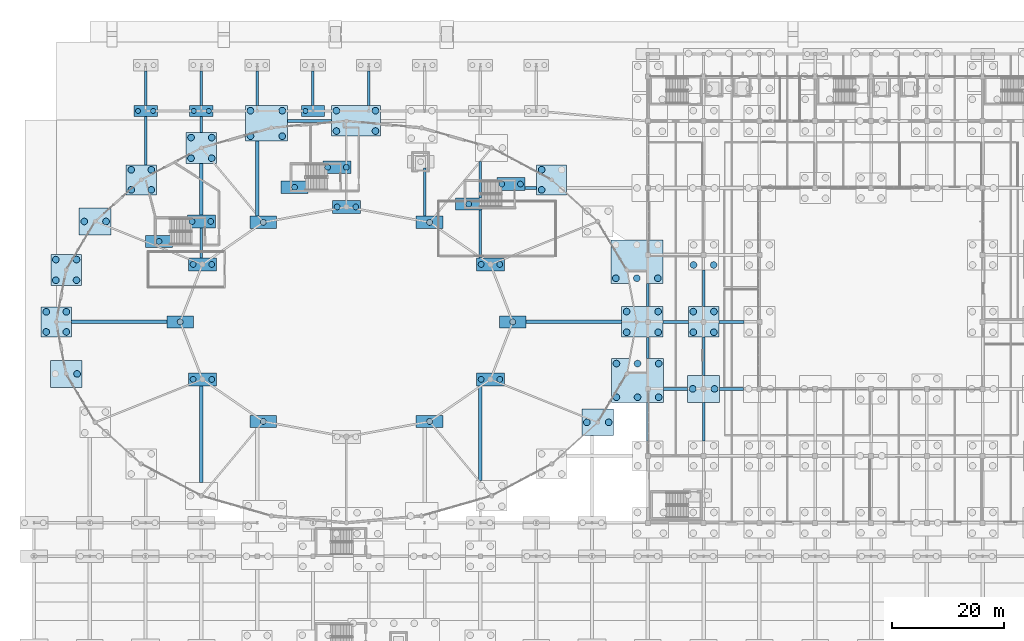
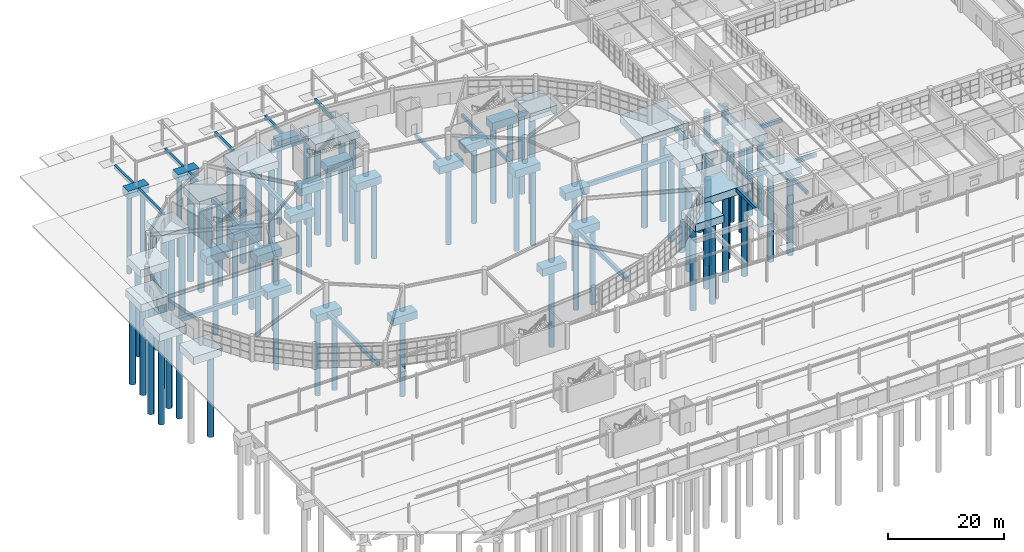
# One storey, part 4 of 99: 82 piles, 64 footings.
"""IFC4 building model written with IfcOpenShell, lengths in metres."""

from ifc_helpers import new_model, si_unit, direction, frame, origin, origin_2d, place, context, subcontext, project, spatial, rectangle, circle, extrude, material, material_profile, profile_set, type_object, element, save


model = new_model("IFC4")

# Units and contexts
model_context = context("Model", 3, precision=1e-05, world=origin(), true_north=direction((0.0, 1.0)))
body_context = subcontext(model_context, "Body", "Model", "MODEL_VIEW")
ifc_project = project(units=[si_unit("LENGTHUNIT", "METRE"), si_unit("AREAUNIT", "SQUARE_METRE"), si_unit("VOLUMEUNIT", "CUBIC_METRE"), si_unit("PLANEANGLEUNIT", "RADIAN"), si_unit("MASSUNIT", "GRAM", prefix="KILO")], contexts=[model_context])

# Site, building, storey
site_placement = place(None, origin())
site = spatial("IfcSite", under=ifc_project, at=site_placement, CompositionType="ELEMENT")
building_placement = place(site_placement, origin())
building = spatial("IfcBuilding", under=site, at=building_placement, Name="Kivolera Central Railway Station", CompositionType="ELEMENT")
storey_placement = place(building_placement, origin())
storey = spatial("IfcBuildingStorey", under=building, at=storey_placement, Name="L00", CompositionType="ELEMENT", Elevation=0.0)

# Footings
ifc_material = material(Name="Concrete C35/45", Category="concrete")
footing_type_1 = type_object("IfcFootingType", Name="FB-450x750", PredefinedType="FOOTING_BEAM", material=ifc_material)
footing_1_placement = place(storey_placement, frame((28.0, 122.5029296875, -0.75), z_axis=(0.0, 0.0, 1.0), x_axis=(1.0, 0.0, 0.0)))
element("IfcFooting", 1, at=footing_1_placement, inside=storey, type_object=footing_type_1, Name="Foundation Tie Beam FDN-FBY-159", PredefinedType="FOOTING_BEAM", context=body_context, shape_type="SweptSolid", body=[
    extrude(rectangle(XDim=0.449951171875, YDim=8.694091796875, at=origin_2d()), origin(), (0.0, 0.0, 1.0), 0.75),
])
footing_2_placement = place(storey_placement, frame((28.0, 131.875, -0.75), z_axis=(0.0, 0.0, 1.0), x_axis=(1.0, 0.0, 0.0)))
element("IfcFooting", 2, at=footing_2_placement, inside=storey, type_object=footing_type_1, Name="Foundation Tie Beam FDN-FBY-160", PredefinedType="FOOTING_BEAM", context=body_context, shape_type="SweptSolid", body=[
    extrude(rectangle(XDim=0.449951171875, YDim=6.25, at=origin_2d()), origin(), (0.0, 0.0, 1.0), 0.75),
])
footing_3_placement = place(storey_placement, frame((38.0, 104.14990234375, -1.10009765625), z_axis=(0.0, 0.0, 1.0), x_axis=(1.0, 0.0, 0.0)))
element("IfcFooting", 3, at=footing_3_placement, inside=storey, type_object=footing_type_1, Name="Foundation Tie Beam FDN-FBY-167", PredefinedType="FOOTING_BEAM", context=body_context, shape_type="SweptSolid", body=[
    extrude(rectangle(XDim=0.449951171875, YDim=5.39990234375, at=origin_2d()), origin(), (0.0, 0.0, 1.0), 0.75),
])
footing_4_placement = place(storey_placement, frame((38.0, 125.387939453125, -0.75), z_axis=(0.0, 0.0, 1.0), x_axis=(1.0, 0.0, 0.0)))
element("IfcFooting", 4, at=footing_4_placement, inside=storey, type_object=footing_type_1, Name="Foundation Tie Beam FDN-FBY-169", PredefinedType="FOOTING_BEAM", context=body_context, shape_type="SweptSolid", body=[
    extrude(rectangle(XDim=0.449951171875, YDim=2.923095703125, at=origin_2d()), origin(), (0.0, 0.0, 1.0), 0.75),
])
for number, where, z_axis, x_axis, name in (
    (5, (38.0, 131.875, -0.75), (0.0, 0.0, 1.0), (1.0, 0.0, 0.0), "Foundation Tie Beam FDN-FBY-170"),
    (6, (48.0, 131.875, -0.75), (0.0, 0.0, 1.0), (1.0, 0.0, 0.0), "Foundation Tie Beam FDN-FBY-177"),
    (7, (58.0, 131.875, -0.75), (0.0, 0.0, 1.0), (1.0, 0.0, 0.0), "Foundation Tie Beam FDN-FBY-182"),
    (8, (68.0, 131.875, -0.75), (0.0, 0.0, 1.0), (1.0, 0.0, 0.0), "Foundation Tie Beam FDN-FBY-186"),
):
    element("IfcFooting", number, at=place(storey_placement, frame(where, z_axis=z_axis, x_axis=x_axis)), inside=storey, type_object=footing_type_1, Name=name, PredefinedType="FOOTING_BEAM", context=body_context, shape_type="SweptSolid", body=[
        extrude(rectangle(XDim=0.449951171875, YDim=6.25, at=origin_2d()), origin(), (0.0, 0.0, 1.0), 0.75),
    ])
footing_5_placement = place(storey_placement, frame((78.0, 113.27001953125, -1.10009765625), z_axis=(0.0, 0.0, 1.0), x_axis=(1.0, 0.0, 0.0)))
element("IfcFooting", 9, at=footing_5_placement, inside=storey, type_object=footing_type_1, Name="Foundation Tie Beam FDN-FBY-192", PredefinedType="FOOTING_BEAM", context=body_context, shape_type="SweptSolid", body=[
    extrude(rectangle(XDim=0.449951171875, YDim=8.659912109375, at=origin_2d()), origin(), (0.0, 0.0, 1.0), 0.75),
])
footing_6_placement = place(storey_placement, frame((88.0, 105.735107421875, -1.10009765625), z_axis=(0.0, 0.0, 1.0), x_axis=(1.0, 0.0, 0.0)))
element("IfcFooting", 10, at=footing_6_placement, inside=storey, type_object=footing_type_1, Name="Foundation Tie Beam FDN-FBY-201", PredefinedType="FOOTING_BEAM", context=body_context, shape_type="SweptSolid", body=[
    extrude(rectangle(XDim=0.449951171875, YDim=8.570068359375, at=origin_2d()), origin(), (0.0, 0.0, 1.0), 0.75),
])
footing_7_placement = place(storey_placement, frame((88.0, 115.4990234375, -1.10009765625), z_axis=(0.0, 0.0, 1.0), x_axis=(1.0, 0.0, 0.0)))
element("IfcFooting", 11, at=footing_7_placement, inside=storey, type_object=footing_type_1, Name="Foundation Tie Beam FDN-FBY-202", PredefinedType="FOOTING_BEAM", context=body_context, shape_type="SweptSolid", body=[
    extrude(rectangle(XDim=0.449951171875, YDim=6.556884765625, at=origin_2d()), origin(), (0.0, 0.0, 1.0), 0.75),
])
footing_8_placement = place(storey_placement, frame((118.0, 72.14990234375, -1.10009765625), z_axis=(0.0, 0.0, 1.0), x_axis=(1.0, 0.0, 0.0)))
element("IfcFooting", 12, at=footing_8_placement, inside=storey, type_object=footing_type_1, Name="Foundation Tie Beam FDN-FBY-220", PredefinedType="FOOTING_BEAM", context=body_context, shape_type="SweptSolid", body=[
    extrude(rectangle(XDim=0.449951171875, YDim=6.89990234375, at=origin_2d()), origin(), (0.0, 0.0, 1.0), 0.75),
])
footing_9_placement = place(storey_placement, frame((118.0, 85.341064453125, -1.10009765625), z_axis=(0.0, 0.0, 1.0), x_axis=(1.0, 0.0, 0.0)))
element("IfcFooting", 13, at=footing_9_placement, inside=storey, type_object=footing_type_1, Name="Foundation Tie Beam FDN-FBY-221", PredefinedType="FOOTING_BEAM", context=body_context, shape_type="SweptSolid", body=[
    extrude(rectangle(XDim=0.449951171875, YDim=3.81689453125, at=origin_2d()), origin(), (0.0, 0.0, 1.0), 0.75),
])
footing_10_placement = place(storey_placement, frame((118.0, 94.833984375, -1.10009765625), z_axis=(0.0, 0.0, 1.0), x_axis=(1.0, 0.0, 0.0)))
element("IfcFooting", 14, at=footing_10_placement, inside=storey, type_object=footing_type_1, Name="Foundation Tie Beam FDN-FBY-222", PredefinedType="FOOTING_BEAM", context=body_context, shape_type="SweptSolid", body=[
    extrude(rectangle(XDim=0.449951171875, YDim=4.1669921875, at=origin_2d()), origin(), (0.0, 0.0, 1.0), 0.75),
])
footing_11_placement = place(storey_placement, frame((128.0, 72.14990234375, -1.10009765625), z_axis=(0.0, 0.0, 1.0), x_axis=(1.0, 0.0, 0.0)))
element("IfcFooting", 15, at=footing_11_placement, inside=storey, type_object=footing_type_1, Name="Foundation Tie Beam FDN-FBY-231", PredefinedType="FOOTING_BEAM", context=body_context, shape_type="SweptSolid", body=[
    extrude(rectangle(XDim=0.449951171875, YDim=6.89990234375, at=origin_2d()), origin(), (0.0, 0.0, 1.0), 0.75),
])
footing_12_placement = place(storey_placement, frame((128.0, 83.824951171875, -1.10009765625), z_axis=(0.0, 0.0, 1.0), x_axis=(1.0, 0.0, 0.0)))
element("IfcFooting", 16, at=footing_12_placement, inside=storey, type_object=footing_type_1, Name="Foundation Tie Beam FDN-FBY-232", PredefinedType="FOOTING_BEAM", context=body_context, shape_type="SweptSolid", body=[
    extrude(rectangle(XDim=0.449951171875, YDim=6.85009765625, at=origin_2d()), origin(), (0.0, 0.0, 1.0), 0.75),
])
footing_13_placement = place(storey_placement, frame((128.0, 96.02490234375, -1.10009765625), z_axis=(0.0, 0.0, 1.0), x_axis=(1.0, 0.0, 0.0)))
element("IfcFooting", 17, at=footing_13_placement, inside=storey, type_object=footing_type_1, Name="Foundation Tie Beam FDN-FBY-233", PredefinedType="FOOTING_BEAM", context=body_context, shape_type="SweptSolid", body=[
    extrude(rectangle(XDim=0.449951171875, YDim=6.550048828125, at=origin_2d()), origin(), (0.0, 0.0, 1.0), 0.75),
])
footing_type_2 = type_object("IfcFootingType", Name="FB-500x800", PredefinedType="FOOTING_BEAM", material=ifc_material)
for number, where, z_axis, x_axis, name in (
    (18, (123.0, 78.0, -1.14990234375), (0.0, 0.0, 1.0), (1.0, 0.0, 0.0), "Foundation Tie Beam FDN-FBX-103"),
    (19, (133.0, 78.0, -1.14990234375), (0.0, 0.0, 1.0), (1.0, 0.0, 0.0), "Foundation Tie Beam FDN-FBX-104"),
):
    element("IfcFooting", number, at=place(storey_placement, frame(where, z_axis=z_axis, x_axis=x_axis)), inside=storey, type_object=footing_type_2, Name=name, PredefinedType="FOOTING_BEAM", context=body_context, shape_type="SweptSolid", body=[
        extrude(rectangle(XDim=4.300048828125, YDim=0.5, at=origin_2d()), origin(), (0.0, 0.0, 1.0), 0.800048828125),
    ])
for number, where, z_axis, x_axis, name in (
    (20, (123.0, 90.0, -1.14990234375), (0.0, 0.0, 1.0), (1.0, 0.0, 0.0), "Foundation Tie Beam FDN-FBX-113"),
    (21, (133.0, 90.0, -1.14990234375), (0.0, 0.0, 1.0), (1.0, 0.0, 0.0), "Foundation Tie Beam FDN-FBX-114"),
):
    element("IfcFooting", number, at=place(storey_placement, frame(where, z_axis=z_axis, x_axis=x_axis)), inside=storey, type_object=footing_type_2, Name=name, PredefinedType="FOOTING_BEAM", context=body_context, shape_type="SweptSolid", body=[
        extrude(rectangle(XDim=4.5, YDim=0.5, at=origin_2d()), origin(), (0.0, 0.0, 1.0), 0.800048828125),
    ])
footing_14_placement = place(storey_placement, frame((97.034912109375, 114.0, -1.14990234375), z_axis=(0.0, 0.0, 1.0), x_axis=(1.0, 0.0, 0.0)))
element("IfcFooting", 22, at=footing_14_placement, inside=storey, type_object=footing_type_2, Name="Foundation Tie Beam FDN-FBX-120", PredefinedType="FOOTING_BEAM", context=body_context, shape_type="SweptSolid", body=[
    extrude(rectangle(XDim=2.070068359375, YDim=0.5, at=origin_2d()), origin(), (0.0, 0.0, 1.0), 0.800048828125),
])
footing_15_placement = place(storey_placement, frame((57.345947265625, 126.0, -1.14990234375), z_axis=(0.0, 0.0, 1.0), x_axis=(1.0, 0.0, 0.0)))
element("IfcFooting", 23, at=footing_15_placement, inside=storey, type_object=footing_type_2, Name="Foundation Tie Beam FDN-FBX-130", PredefinedType="FOOTING_BEAM", context=body_context, shape_type="SweptSolid", body=[
    extrude(rectangle(XDim=7.908935546875, YDim=0.5, at=origin_2d()), origin(), (0.0, 0.0, 1.0), 0.800048828125),
])
footing_type_3 = type_object("IfcFootingType", Name="FB-600x900", PredefinedType="FOOTING_BEAM", material=ifc_material)
for number, where, z_axis, x_axis, name in (
    (24, (23.25, 90.0, -1.25), (0.0, 0.0, 1.0), (1.0, 0.0, 0.0), "Foundation Tie Beam FDN-FBX-111"),
    (25, (104.75, 90.0, -1.25), (0.0, 0.0, 1.0), (1.0, 0.0, 0.0), "Foundation Tie Beam FDN-FBX-112"),
):
    element("IfcFooting", number, at=place(storey_placement, frame(where, z_axis=z_axis, x_axis=x_axis)), inside=storey, type_object=footing_type_3, Name=name, PredefinedType="FOOTING_BEAM", context=body_context, shape_type="SweptSolid", body=[
        extrude(rectangle(XDim=17.10009765625, YDim=0.60009765625, at=origin_2d()), origin(), (0.0, 0.0, 1.0), 0.89990234375),
    ])
footing_16_placement = place(storey_placement, frame((38.0, 69.885986328125, -1.25), z_axis=(0.0, 0.0, 1.0), x_axis=(1.0, 0.0, 0.0)))
element("IfcFooting", 26, at=footing_16_placement, inside=storey, type_object=footing_type_3, Name="Foundation Tie Beam FDN-FBY-166", PredefinedType="FOOTING_BEAM", context=body_context, shape_type="SweptSolid", body=[
    extrude(rectangle(XDim=0.60009765625, YDim=17.326904296875, at=origin_2d()), origin(), (0.0, 0.0, 1.0), 0.89990234375),
])
footing_17_placement = place(storey_placement, frame((38.0, 113.7880859375, -1.25), z_axis=(0.0, 0.0, 1.0), x_axis=(1.0, 0.0, 0.0)))
element("IfcFooting", 27, at=footing_17_placement, inside=storey, type_object=footing_type_3, Name="Foundation Tie Beam FDN-FBY-168", PredefinedType="FOOTING_BEAM", context=body_context, shape_type="SweptSolid", body=[
    extrude(rectangle(XDim=0.60009765625, YDim=9.277099609375, at=origin_2d()), origin(), (0.0, 0.0, 1.0), 0.89990234375),
])
footing_18_placement = place(storey_placement, frame((48.0, 115.656005859375, -1.25), z_axis=(0.0, 0.0, 1.0), x_axis=(1.0, 0.0, 0.0)))
element("IfcFooting", 28, at=footing_18_placement, inside=storey, type_object=footing_type_3, Name="Foundation Tie Beam FDN-FBY-176", PredefinedType="FOOTING_BEAM", context=body_context, shape_type="SweptSolid", body=[
    extrude(rectangle(XDim=0.60009765625, YDim=13.43310546875, at=origin_2d()), origin(), (0.0, 0.0, 1.0), 0.89990234375),
])
footing_19_placement = place(storey_placement, frame((88.0, 70.06103515625, -1.25), z_axis=(0.0, 0.0, 1.0), x_axis=(1.0, 0.0, 0.0)))
element("IfcFooting", 29, at=footing_19_placement, inside=storey, type_object=footing_type_3, Name="Foundation Tie Beam FDN-FBY-200", PredefinedType="FOOTING_BEAM", context=body_context, shape_type="SweptSolid", body=[
    extrude(rectangle(XDim=0.60009765625, YDim=16.97705078125, at=origin_2d()), origin(), (0.0, 0.0, 1.0), 0.89990234375),
])
footing_type_4 = type_object("IfcFootingType", Name="PC-4200x1900", PredefinedType="PILE_CAP", material=ifc_material)
for number, where, z_axis, x_axis, name in (
    (30, (28.0, 127.800048828125, -1.60009765625), (0.0, 0.0, 1.0), (1.0, 0.0, 0.0), "Pile Cap FDN-PC-195"),
    (31, (38.0, 127.800048828125, -1.60009765625), (0.0, 0.0, 1.0), (1.0, 0.0, 0.0), "Pile Cap FDN-PC-197"),
    (32, (58.0, 127.800048828125, -1.60009765625), (0.0, 0.0, 1.0), (1.0, 0.0, 0.0), "Pile Cap FDN-PC-200"),
):
    element("IfcFooting", number, at=place(storey_placement, frame(where, z_axis=z_axis, x_axis=x_axis)), inside=storey, type_object=footing_type_4, Name=name, PredefinedType="PILE_CAP", context=body_context, shape_type="SweptSolid", body=[
        extrude(rectangle(XDim=4.199951171875, YDim=1.89990234375, at=origin_2d()), origin(), (0.0, 0.0, 1.0), 1.60009765625),
    ])
footing_type_5 = type_object("IfcFootingType", Name="PC-4800x2200", PredefinedType="PILE_CAP", material=ifc_material)
for number, where, z_axis, x_axis, name in (
    (33, (54.699951171875, 114.1201171875, -1.949951171875), (0.0, 0.0, 1.0), (1.0, 0.0, 0.0), "Pile Cap FDN-PC-070"),
    (34, (30.39990234375, 104.419921875, -1.949951171875), (0.0, 0.0, 1.0), (1.0, 0.0, 0.0), "Pile Cap FDN-PC-072"),
    (35, (85.89990234375, 111.1201171875, -1.949951171875), (0.0, 0.0, 1.0), (1.0, 0.0, 0.0), "Pile Cap FDN-PC-074"),
    (36, (93.800048828125, 90.0, -1.949951171875), (0.0, 0.0, 1.0), (1.0, 0.0, 0.0), "Pile Cap FDN-PC-183"),
    (37, (78.89990234375, 107.840087890625, -1.949951171875), (0.0, 0.0, 1.0), (1.0, 0.0, 0.0), "Pile Cap FDN-PC-185"),
    (38, (49.10009765625, 107.840087890625, -1.949951171875), (0.0, 0.0, 1.0), (1.0, 0.0, 0.0), "Pile Cap FDN-PC-187"),
    (39, (34.199951171875, 90.0, -1.949951171875), (0.0, 0.0, 1.0), (1.0, 0.0, 0.0), "Pile Cap FDN-PC-189"),
    (40, (49.10009765625, 72.159912109375, -1.949951171875), (0.0, 0.0, 1.0), (1.0, 0.0, 0.0), "Pile Cap FDN-PC-191"),
    (41, (78.89990234375, 72.159912109375, -1.949951171875), (0.0, 0.0, 1.0), (1.0, 0.0, 0.0), "Pile Cap FDN-PC-193"),
):
    element("IfcFooting", number, at=place(storey_placement, frame(where, z_axis=z_axis, x_axis=x_axis)), inside=storey, type_object=footing_type_5, Name=name, PredefinedType="PILE_CAP", context=body_context, shape_type="SweptSolid", body=[
        extrude(rectangle(XDim=4.800048828125, YDim=2.199951171875, at=origin_2d()), origin(), (0.0, 0.0, 1.0), 1.60009765625),
    ])
footing_type_6 = type_object("IfcFootingType", Name="PC-5000x2300", PredefinedType="PILE_CAP", material=ifc_material)
for number, where, z_axis, x_axis, name in (
    (42, (62.300048828125, 117.699951171875, -1.949951171875), (0.0, 0.0, 1.0), (1.0, 0.0, 0.0), "Pile Cap FDN-PC-069"),
    (43, (38.0, 108.0, -1.949951171875), (0.0, 0.0, 1.0), (1.0, 0.0, 0.0), "Pile Cap FDN-PC-071"),
    (44, (93.5, 114.699951171875, -1.949951171875), (0.0, 0.0, 1.0), (1.0, 0.0, 0.0), "Pile Cap FDN-PC-073"),
    (45, (89.80810546875, 100.300048828125, -1.949951171875), (0.0, 0.0, 1.0), (1.0, 0.0, 0.0), "Pile Cap FDN-PC-184"),
    (46, (64.0, 110.60009765625, -1.949951171875), (0.0, 0.0, 1.0), (1.0, 0.0, 0.0), "Pile Cap FDN-PC-186"),
    (47, (38.19189453125, 100.300048828125, -1.949951171875), (0.0, 0.0, 1.0), (1.0, 0.0, 0.0), "Pile Cap FDN-PC-188"),
    (48, (38.19189453125, 79.699951171875, -1.949951171875), (0.0, 0.0, 1.0), (1.0, 0.0, 0.0), "Pile Cap FDN-PC-190"),
    (49, (89.80810546875, 79.699951171875, -1.949951171875), (0.0, 0.0, 1.0), (1.0, 0.0, 0.0), "Pile Cap FDN-PC-194"),
):
    element("IfcFooting", number, at=place(storey_placement, frame(where, z_axis=z_axis, x_axis=x_axis)), inside=storey, type_object=footing_type_6, Name=name, PredefinedType="PILE_CAP", context=body_context, shape_type="SweptSolid", body=[
        extrude(rectangle(XDim=5.0, YDim=2.300048828125, at=origin_2d()), origin(), (0.0, 0.0, 1.0), 1.60009765625),
    ])
footing_type_7 = type_object("IfcFootingType", Name="PC-5400x5400", PredefinedType="PILE_CAP", material=ifc_material)
for number, where, z_axis, x_axis, name in (
    (50, (100.77001953125, 115.4560546875, -1.949951171875), (0.0, 0.0, 1.0), (1.0, 0.0, 0.0), "Pile Cap FDN-PC-166"),
    (51, (27.22998046875, 115.4560546875, -1.949951171875), (0.0, 0.0, 1.0), (1.0, 0.0, 0.0), "Pile Cap FDN-PC-172"),
    (52, (12.0, 90.0, -1.949951171875), (0.0, 0.0, 1.0), (1.0, 0.0, 0.0), "Pile Cap FDN-PC-175"),
):
    element("IfcFooting", number, at=place(storey_placement, frame(where, z_axis=z_axis, x_axis=x_axis)), inside=storey, type_object=footing_type_7, Name=name, PredefinedType="PILE_CAP", context=body_context, shape_type="SweptSolid", body=[
        extrude(rectangle(XDim=5.39990234375, YDim=5.39990234375, at=origin_2d()), origin(), (0.0, 0.0, 1.0), 1.60009765625),
    ])
footing_type_8 = type_object("IfcFootingType", Name="PC-5500x5500", PredefinedType="PILE_CAP", material=ifc_material)
for number, where, z_axis, x_axis, name in (
    (53, (128.0, 90.0, -1.949951171875), (0.0, 0.0, 1.0), (1.0, 0.0, 0.0), "Pile Cap FDN-PC-013"),
    (54, (38.0, 121.177001953125, -1.949951171875), (0.0, 0.0, 1.0), (1.0, 0.0, 0.0), "Pile Cap FDN-PC-171"),
    (55, (13.77197265625, 99.31689453125, -1.949951171875), (0.0, 0.0, 1.0), (1.0, 0.0, 0.0), "Pile Cap FDN-PC-174"),
):
    element("IfcFooting", number, at=place(storey_placement, frame(where, z_axis=z_axis, x_axis=x_axis)), inside=storey, type_object=footing_type_8, Name=name, PredefinedType="PILE_CAP", context=body_context, shape_type="SweptSolid", body=[
        extrude(rectangle(XDim=5.5, YDim=5.5, at=origin_2d()), origin(), (0.0, 0.0, 1.0), 1.60009765625),
    ])
footing_type_9 = type_object("IfcFootingType", Name="PC-5700x4800", PredefinedType="PILE_CAP", material=ifc_material)
for number, where, z_axis, x_axis, name in (
    (56, (128.0, 78.0, -1.949951171875), (0.0, 0.0, 1.0), (1.0, 0.0, 0.0), "Pile Cap FDN-PC-012"),
    (57, (18.967041015625, 108.0, -1.949951171875), (0.0, 0.0, 1.0), (1.0, 0.0, 0.0), "Pile Cap FDN-PC-173"),
    (58, (13.77197265625, 80.68310546875, -1.949951171875), (0.0, 0.0, 1.0), (1.0, 0.0, 0.0), "Pile Cap FDN-PC-176"),
    (59, (109.032958984375, 72.0, -1.949951171875), (0.0, 0.0, 1.0), (1.0, 0.0, 0.0), "Pile Cap FDN-PC-182"),
):
    element("IfcFooting", number, at=place(storey_placement, frame(where, z_axis=z_axis, x_axis=x_axis)), inside=storey, type_object=footing_type_9, Name=name, PredefinedType="PILE_CAP", context=body_context, shape_type="SweptSolid", body=[
        extrude(rectangle(XDim=5.699951171875, YDim=4.800048828125, at=origin_2d()), origin(), (0.0, 0.0, 1.0), 1.60009765625),
    ])
footing_type_10 = type_object("IfcFootingType", Name="PC-7450x5500", PredefinedType="PILE_CAP", material=ifc_material)
footing_20_placement = place(storey_placement, frame((117.02490234375, 90.0, -1.949951171875), z_axis=(0.0, 0.0, 1.0), x_axis=(1.0, 0.0, 0.0)))
element("IfcFooting", 60, at=footing_20_placement, inside=storey, type_object=footing_type_10, Name="Pile Cap FDN-PC-004", PredefinedType="PILE_CAP", context=body_context, shape_type="SweptSolid", body=[
    extrude(rectangle(XDim=7.449951171875, YDim=5.5, at=origin_2d()), origin(), (0.0, 0.0, 1.0), 1.60009765625),
])
footing_type_11 = type_object("IfcFootingType", Name="PC-7491x6377", PredefinedType="PILE_CAP", material=ifc_material)
footing_21_placement = place(storey_placement, frame((49.64501953125, 125.56103515625, -1.949951171875), z_axis=(0.0, 0.0, 1.0), x_axis=(1.0, 0.0, 0.0)))
element("IfcFooting", 61, at=footing_21_placement, inside=storey, type_object=footing_type_11, Name="Pile Cap FDN-PC-170", PredefinedType="PILE_CAP", context=body_context, shape_type="SweptSolid", body=[
    extrude(rectangle(XDim=7.490966796875, YDim=6.376953125, at=origin_2d()), origin(), (0.0, 0.0, 1.0), 1.60009765625),
])
footing_type_12 = type_object("IfcFootingType", Name="PC-8800x5450", PredefinedType="PILE_CAP", material=ifc_material)
footing_22_placement = place(storey_placement, frame((65.699951171875, 126.02490234375, -1.949951171875), z_axis=(0.0, 0.0, 1.0), x_axis=(1.0, 0.0, 0.0)))
element("IfcFooting", 62, at=footing_22_placement, inside=storey, type_object=footing_type_12, Name="Pile Cap FDN-PC-169", PredefinedType="PILE_CAP", context=body_context, shape_type="SweptSolid", body=[
    extrude(rectangle(XDim=8.800048828125, YDim=5.449951171875, at=origin_2d()), origin(), (0.0, 0.0, 1.0), 1.60009765625),
])
footing_type_13 = type_object("IfcFootingType", Name="PC-9322x7783", PredefinedType="PILE_CAP", material=ifc_material)
footing_23_placement = place(storey_placement, frame((116.0390625, 100.80908203125, -1.949951171875), z_axis=(0.0, 0.0, 1.0), x_axis=(1.0, 0.0, 0.0)))
element("IfcFooting", 63, at=footing_23_placement, inside=storey, type_object=footing_type_13, Name="Pile Cap FDN-PC-005", PredefinedType="PILE_CAP", context=body_context, shape_type="SweptSolid", body=[
    extrude(rectangle(XDim=9.322021484375, YDim=7.782958984375, at=origin_2d()), origin(), (0.0, 0.0, 1.0), 1.60009765625),
])
footing_type_14 = type_object("IfcFootingType", Name="PC-9372x7833", PredefinedType="PILE_CAP", material=ifc_material)
footing_24_placement = place(storey_placement, frame((116.1640625, 79.51708984375, -1.949951171875), z_axis=(0.0, 0.0, 1.0), x_axis=(1.0, 0.0, 0.0)))
element("IfcFooting", 64, at=footing_24_placement, inside=storey, type_object=footing_type_14, Name="Pile Cap FDN-PC-003", PredefinedType="PILE_CAP", context=body_context, shape_type="SweptSolid", body=[
    extrude(rectangle(XDim=9.3720703125, YDim=7.8330078125, at=origin_2d()), origin(), (0.0, 0.0, 1.0), 1.60009765625),
])

# Piles
ifc_material_profile_1 = material_profile(ifc_material, circle(Radius=0.52490234375, at=origin_2d()), Name="PILE D1050")
ifc_profile_set_1 = profile_set([ifc_material_profile_1], Name="Concrete C35/45")
pile_type_1 = type_object("IfcPileType", Name="PILE-1050", PredefinedType="BORED", material=ifc_profile_set_1)
for number, where, z_axis, x_axis, name in (
    (65, (60.625, 117.699951171875, -1.85009765625), (0.0, 0.0, -1.0), (1.0, 0.0, 0.0), "Bored Pile FDN-PC-069-P01"),
    (66, (63.97509765625, 117.699951171875, -1.85009765625), (0.0, 0.0, -1.0), (1.0, 0.0, 0.0), "Bored Pile FDN-PC-069-P02"),
    (67, (54.699951171875, 114.1201171875, -1.85009765625), (0.0, 0.0, -1.0), (1.0, 0.0, 0.0), "Bored Pile FDN-PC-070-P01"),
    (68, (36.324951171875, 108.0, -1.85009765625), (0.0, 0.0, -1.0), (1.0, 0.0, 0.0), "Bored Pile FDN-PC-071-P01"),
    (69, (39.675048828125, 108.0, -1.85009765625), (0.0, 0.0, -1.0), (1.0, 0.0, 0.0), "Bored Pile FDN-PC-071-P02"),
    (70, (30.39990234375, 104.419921875, -1.85009765625), (0.0, 0.0, -1.0), (1.0, 0.0, 0.0), "Bored Pile FDN-PC-072-P01"),
    (71, (91.824951171875, 114.699951171875, -1.85009765625), (0.0, 0.0, -1.0), (1.0, 0.0, 0.0), "Bored Pile FDN-PC-073-P01"),
    (72, (95.175048828125, 114.699951171875, -1.85009765625), (0.0, 0.0, -1.0), (1.0, 0.0, 0.0), "Bored Pile FDN-PC-073-P02"),
    (73, (85.89990234375, 111.1201171875, -1.85009765625), (0.0, 0.0, -1.0), (1.0, 0.0, 0.0), "Bored Pile FDN-PC-074-P01"),
    (74, (93.800048828125, 90.0, -1.85009765625), (0.0, 0.0, -1.0), (1.0, 0.0, 0.0), "Bored Pile FDN-PC-183-P01"),
    (75, (88.133056640625, 100.300048828125, -1.85009765625), (0.0, 0.0, -1.0), (1.0, 0.0, 0.0), "Bored Pile FDN-PC-184-P01"),
    (76, (91.48291015625, 100.300048828125, -1.85009765625), (0.0, 0.0, -1.0), (1.0, 0.0, 0.0), "Bored Pile FDN-PC-184-P02"),
    (77, (78.89990234375, 107.840087890625, -1.85009765625), (0.0, 0.0, -1.0), (1.0, 0.0, 0.0), "Bored Pile FDN-PC-185-P01"),
    (78, (62.324951171875, 110.60009765625, -1.85009765625), (0.0, 0.0, -1.0), (1.0, 0.0, 0.0), "Bored Pile FDN-PC-186-P01"),
    (79, (65.675048828125, 110.60009765625, -1.85009765625), (0.0, 0.0, -1.0), (1.0, 0.0, 0.0), "Bored Pile FDN-PC-186-P02"),
    (80, (49.10009765625, 107.840087890625, -1.85009765625), (0.0, 0.0, -1.0), (1.0, 0.0, 0.0), "Bored Pile FDN-PC-187-P01"),
    (81, (36.51708984375, 100.300048828125, -1.85009765625), (0.0, 0.0, -1.0), (1.0, 0.0, 0.0), "Bored Pile FDN-PC-188-P01"),
    (82, (39.866943359375, 100.300048828125, -1.85009765625), (0.0, 0.0, -1.0), (1.0, 0.0, 0.0), "Bored Pile FDN-PC-188-P02"),
    (83, (34.199951171875, 90.0, -1.85009765625), (0.0, 0.0, -1.0), (1.0, 0.0, 0.0), "Bored Pile FDN-PC-189-P01"),
    (84, (36.51708984375, 79.699951171875, -1.85009765625), (0.0, 0.0, -1.0), (1.0, 0.0, 0.0), "Bored Pile FDN-PC-190-P01"),
    (85, (39.866943359375, 79.699951171875, -1.85009765625), (0.0, 0.0, -1.0), (1.0, 0.0, 0.0), "Bored Pile FDN-PC-190-P02"),
    (86, (49.10009765625, 72.159912109375, -1.85009765625), (0.0, 0.0, -1.0), (1.0, 0.0, 0.0), "Bored Pile FDN-PC-191-P01"),
    (87, (78.89990234375, 72.159912109375, -1.85009765625), (0.0, 0.0, -1.0), (1.0, 0.0, 0.0), "Bored Pile FDN-PC-193-P01"),
    (88, (88.133056640625, 79.699951171875, -1.85009765625), (0.0, 0.0, -1.0), (1.0, 0.0, 0.0), "Bored Pile FDN-PC-194-P01"),
    (89, (91.48291015625, 79.699951171875, -1.85009765625), (0.0, 0.0, -1.0), (1.0, 0.0, 0.0), "Bored Pile FDN-PC-194-P02"),
):
    element("IfcPile", number, at=place(storey_placement, frame(where, z_axis=z_axis, x_axis=x_axis)), inside=storey, type_object=pile_type_1, Name=name, PredefinedType="BORED", context=body_context, shape_type="SweptSolid", body=[
        extrude(circle(Radius=0.52490234375, at=origin_2d()), origin(), (0.0, 0.0, 1.0), 16.14990234375),
    ])
ifc_material_profile_2 = material_profile(ifc_material, circle(Radius=0.60009765625, at=origin_2d()), Name="PILE D1200")
ifc_profile_set_2 = profile_set([ifc_material_profile_2], Name="Concrete C35/45")
pile_type_2 = type_object("IfcPileType", Name="PILE-1200", PredefinedType="BORED", material=ifc_profile_set_2)
for number, where, z_axis, x_axis, name in (
    (90, (112.3779296875, 76.5, -1.85009765625), (0.0, 0.0, -1.0), (1.0, 0.0, 0.0), "Bored Pile FDN-PC-003-P01"),
    (91, (112.3779296875, 82.532958984375, -1.85009765625), (0.0, 0.0, -1.0), (1.0, 0.0, 0.0), "Bored Pile FDN-PC-003-P02"),
    (92, (116.1640625, 76.5, -1.85009765625), (0.0, 0.0, -1.0), (1.0, 0.0, 0.0), "Bored Pile FDN-PC-003-P03"),
    (93, (116.1640625, 82.532958984375, -1.85009765625), (0.0, 0.0, -1.0), (1.0, 0.0, 0.0), "Bored Pile FDN-PC-003-P04"),
    (94, (119.949951171875, 76.5, -1.85009765625), (0.0, 0.0, -1.0), (1.0, 0.0, 0.0), "Bored Pile FDN-PC-003-P05"),
    (95, (119.949951171875, 82.532958984375, -1.85009765625), (0.0, 0.0, -1.0), (1.0, 0.0, 0.0), "Bored Pile FDN-PC-003-P06"),
    (96, (114.199951171875, 88.14990234375, -1.85009765625), (0.0, 0.0, -1.0), (1.0, 0.0, 0.0), "Bored Pile FDN-PC-004-P01"),
    (97, (114.199951171875, 91.85009765625, -1.85009765625), (0.0, 0.0, -1.0), (1.0, 0.0, 0.0), "Bored Pile FDN-PC-004-P02"),
    (98, (119.85009765625, 88.14990234375, -1.85009765625), (0.0, 0.0, -1.0), (1.0, 0.0, 0.0), "Bored Pile FDN-PC-004-P03"),
    (99, (119.85009765625, 91.85009765625, -1.85009765625), (0.0, 0.0, -1.0), (1.0, 0.0, 0.0), "Bored Pile FDN-PC-004-P04"),
    (100, (112.278076171875, 97.81689453125, -1.85009765625), (0.0, 0.0, -1.0), (1.0, 0.0, 0.0), "Bored Pile FDN-PC-005-P01"),
    (101, (116.0390625, 97.81689453125, -1.85009765625), (0.0, 0.0, -1.0), (1.0, 0.0, 0.0), "Bored Pile FDN-PC-005-P03"),
    (102, (119.800048828125, 97.81689453125, -1.85009765625), (0.0, 0.0, -1.0), (1.0, 0.0, 0.0), "Bored Pile FDN-PC-005-P05"),
    (103, (126.050048828125, 78.0, -1.85009765625), (0.0, 0.0, -1.0), (1.0, 0.0, 0.0), "Bored Pile FDN-PC-012-P01"),
    (104, (129.949951171875, 78.0, -1.85009765625), (0.0, 0.0, -1.0), (1.0, 0.0, 0.0), "Bored Pile FDN-PC-012-P02"),
    (105, (126.14990234375, 88.14990234375, -1.85009765625), (0.0, 0.0, -1.0), (1.0, 0.0, 0.0), "Bored Pile FDN-PC-013-P01"),
    (106, (126.14990234375, 91.85009765625, -1.85009765625), (0.0, 0.0, -1.0), (1.0, 0.0, 0.0), "Bored Pile FDN-PC-013-P02"),
    (107, (129.85009765625, 88.14990234375, -1.85009765625), (0.0, 0.0, -1.0), (1.0, 0.0, 0.0), "Bored Pile FDN-PC-013-P03"),
    (108, (129.85009765625, 91.85009765625, -1.85009765625), (0.0, 0.0, -1.0), (1.0, 0.0, 0.0), "Bored Pile FDN-PC-013-P04"),
    (109, (126.199951171875, 100.199951171875, -1.85009765625), (0.0, 0.0, -1.0), (1.0, 0.0, 0.0), "Bored Pile FDN-PC-014-P01"),
    (110, (129.800048828125, 100.199951171875, -1.85009765625), (0.0, 0.0, -1.0), (1.0, 0.0, 0.0), "Bored Pile FDN-PC-014-P03"),
    (111, (98.969970703125, 113.656005859375, -1.85009765625), (0.0, 0.0, -1.0), (1.0, 0.0, 0.0), "Bored Pile FDN-PC-166-P01"),
    (112, (98.969970703125, 117.256103515625, -1.85009765625), (0.0, 0.0, -1.0), (1.0, 0.0, 0.0), "Bored Pile FDN-PC-166-P02"),
    (113, (62.199951171875, 124.199951171875, -1.85009765625), (0.0, 0.0, -1.0), (1.0, 0.0, 0.0), "Bored Pile FDN-PC-169-P01"),
    (114, (62.199951171875, 127.85009765625, -1.85009765625), (0.0, 0.0, -1.0), (1.0, 0.0, 0.0), "Bored Pile FDN-PC-169-P02"),
    (115, (69.199951171875, 124.199951171875, -1.85009765625), (0.0, 0.0, -1.0), (1.0, 0.0, 0.0), "Bored Pile FDN-PC-169-P03"),
    (116, (69.199951171875, 127.85009765625, -1.85009765625), (0.0, 0.0, -1.0), (1.0, 0.0, 0.0), "Bored Pile FDN-PC-169-P04"),
    (117, (46.800048828125, 123.27294921875, -1.85009765625), (0.0, 0.0, -1.0), (1.0, 0.0, 0.0), "Bored Pile FDN-PC-170-P01"),
    (118, (46.800048828125, 127.85009765625, -1.85009765625), (0.0, 0.0, -1.0), (1.0, 0.0, 0.0), "Bored Pile FDN-PC-170-P02"),
    (119, (52.490966796875, 123.27294921875, -1.85009765625), (0.0, 0.0, -1.0), (1.0, 0.0, 0.0), "Bored Pile FDN-PC-170-P03"),
    (120, (52.490966796875, 127.85009765625, -1.85009765625), (0.0, 0.0, -1.0), (1.0, 0.0, 0.0), "Bored Pile FDN-PC-170-P04"),
    (121, (36.14990234375, 119.326904296875, -1.85009765625), (0.0, 0.0, -1.0), (1.0, 0.0, 0.0), "Bored Pile FDN-PC-171-P01"),
    (122, (36.14990234375, 123.027099609375, -1.85009765625), (0.0, 0.0, -1.0), (1.0, 0.0, 0.0), "Bored Pile FDN-PC-171-P02"),
    (123, (39.85009765625, 119.326904296875, -1.85009765625), (0.0, 0.0, -1.0), (1.0, 0.0, 0.0), "Bored Pile FDN-PC-171-P03"),
    (124, (39.85009765625, 123.027099609375, -1.85009765625), (0.0, 0.0, -1.0), (1.0, 0.0, 0.0), "Bored Pile FDN-PC-171-P04"),
    (125, (25.429931640625, 113.656005859375, -1.85009765625), (0.0, 0.0, -1.0), (1.0, 0.0, 0.0), "Bored Pile FDN-PC-172-P01"),
    (126, (25.429931640625, 117.256103515625, -1.85009765625), (0.0, 0.0, -1.0), (1.0, 0.0, 0.0), "Bored Pile FDN-PC-172-P02"),
    (127, (29.030029296875, 113.656005859375, -1.85009765625), (0.0, 0.0, -1.0), (1.0, 0.0, 0.0), "Bored Pile FDN-PC-172-P03"),
    (128, (29.030029296875, 117.256103515625, -1.85009765625), (0.0, 0.0, -1.0), (1.0, 0.0, 0.0), "Bored Pile FDN-PC-172-P04"),
    (129, (17.01708984375, 108.0, -1.85009765625), (0.0, 0.0, -1.0), (1.0, 0.0, 0.0), "Bored Pile FDN-PC-173-P01"),
    (130, (20.9169921875, 108.0, -1.85009765625), (0.0, 0.0, -1.0), (1.0, 0.0, 0.0), "Bored Pile FDN-PC-173-P02"),
    (131, (11.922119140625, 97.467041015625, -1.85009765625), (0.0, 0.0, -1.0), (1.0, 0.0, 0.0), "Bored Pile FDN-PC-174-P01"),
    (132, (11.922119140625, 101.1669921875, -1.85009765625), (0.0, 0.0, -1.0), (1.0, 0.0, 0.0), "Bored Pile FDN-PC-174-P02"),
    (133, (15.6220703125, 97.467041015625, -1.85009765625), (0.0, 0.0, -1.0), (1.0, 0.0, 0.0), "Bored Pile FDN-PC-174-P03"),
    (134, (15.6220703125, 101.1669921875, -1.85009765625), (0.0, 0.0, -1.0), (1.0, 0.0, 0.0), "Bored Pile FDN-PC-174-P04"),
    (135, (10.199951171875, 88.199951171875, -1.85009765625), (0.0, 0.0, -1.0), (1.0, 0.0, 0.0), "Bored Pile FDN-PC-175-P01"),
    (136, (10.199951171875, 91.800048828125, -1.85009765625), (0.0, 0.0, -1.0), (1.0, 0.0, 0.0), "Bored Pile FDN-PC-175-P02"),
    (137, (13.800048828125, 88.199951171875, -1.85009765625), (0.0, 0.0, -1.0), (1.0, 0.0, 0.0), "Bored Pile FDN-PC-175-P03"),
    (138, (13.800048828125, 91.800048828125, -1.85009765625), (0.0, 0.0, -1.0), (1.0, 0.0, 0.0), "Bored Pile FDN-PC-175-P04"),
    (139, (15.721923828125, 80.68310546875, -1.85009765625), (0.0, 0.0, -1.0), (1.0, 0.0, 0.0), "Bored Pile FDN-PC-176-P02"),
    (140, (107.0830078125, 72.0, -1.85009765625), (0.0, 0.0, -1.0), (1.0, 0.0, 0.0), "Bored Pile FDN-PC-182-P01"),
    (141, (110.98291015625, 72.0, -1.85009765625), (0.0, 0.0, -1.0), (1.0, 0.0, 0.0), "Bored Pile FDN-PC-182-P02"),
):
    element("IfcPile", number, at=place(storey_placement, frame(where, z_axis=z_axis, x_axis=x_axis)), inside=storey, type_object=pile_type_2, Name=name, PredefinedType="BORED", context=body_context, shape_type="SweptSolid", body=[
        extrude(circle(Radius=0.60009765625, at=origin_2d()), origin(), (0.0, 0.0, 1.0), 18.14990234375),
    ])
ifc_material_profile_3 = material_profile(ifc_material, circle(Radius=0.449951171875, at=origin_2d()), Name="PILE D900")
ifc_profile_set_3 = profile_set([ifc_material_profile_3], Name="Concrete C35/45")
pile_type_3 = type_object("IfcPileType", Name="PILE-900", PredefinedType="BORED", material=ifc_profile_set_3)
for number, where, z_axis, x_axis, name in (
    (142, (26.64990234375, 127.800048828125, -1.5), (0.0, 0.0, -1.0), (1.0, 0.0, 0.0), "Bored Pile FDN-PC-195-P01"),
    (143, (29.35009765625, 127.800048828125, -1.5), (0.0, 0.0, -1.0), (1.0, 0.0, 0.0), "Bored Pile FDN-PC-195-P02"),
    (144, (36.64990234375, 127.800048828125, -1.5), (0.0, 0.0, -1.0), (1.0, 0.0, 0.0), "Bored Pile FDN-PC-197-P01"),
    (145, (39.35009765625, 127.800048828125, -1.5), (0.0, 0.0, -1.0), (1.0, 0.0, 0.0), "Bored Pile FDN-PC-197-P02"),
    (146, (56.64990234375, 127.800048828125, -1.5), (0.0, 0.0, -1.0), (1.0, 0.0, 0.0), "Bored Pile FDN-PC-200-P01"),
):
    element("IfcPile", number, at=place(storey_placement, frame(where, z_axis=z_axis, x_axis=x_axis)), inside=storey, type_object=pile_type_3, Name=name, PredefinedType="BORED", context=body_context, shape_type="SweptSolid", body=[
        extrude(circle(Radius=0.449951171875, at=origin_2d()), origin(), (0.0, 0.0, 1.0), 16.5),
    ])

save(model, "model.ifc")
